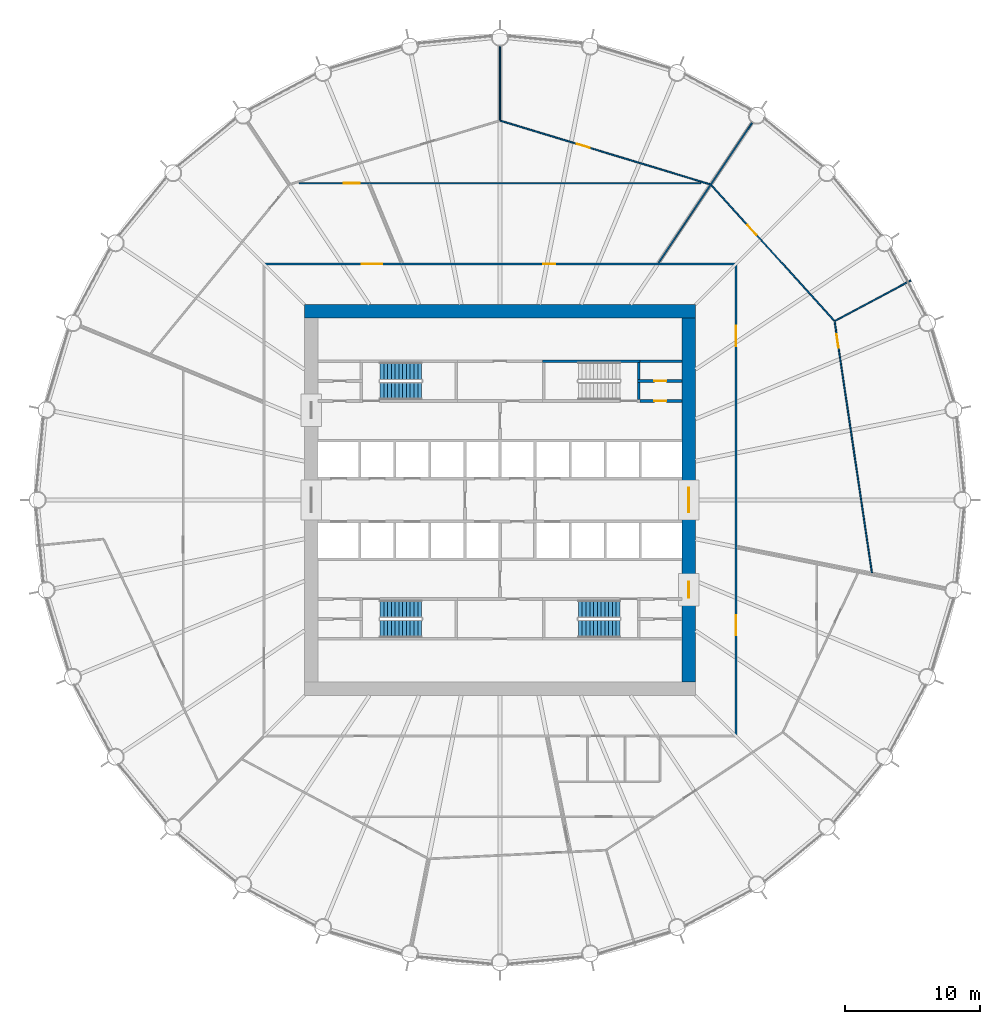
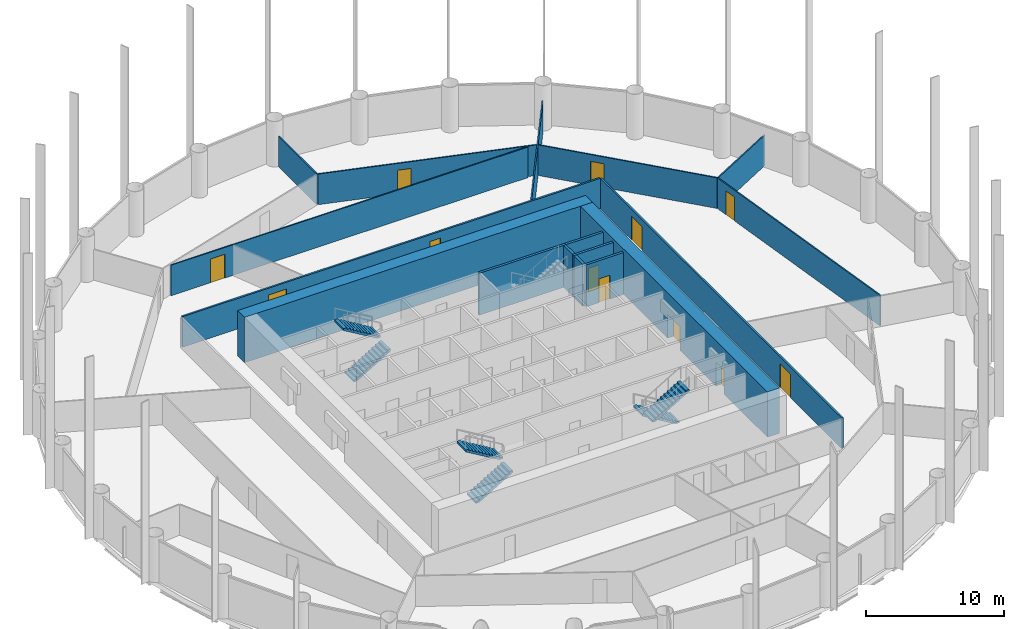
# One storey, part 7 of 10: 18 walls, 12 doors, 6 stair flights, 12 openings, 3 elements without a shape of their own.
"""IFC4 building model written with IfcOpenShell, lengths in metres."""

from ifc_helpers import new_model, si_unit, direction, frame, frame_2d, origin, place, context, subcontext, project, spatial, polyline, rectangle, outline, extrude, material, layer, layer_set, type_object, element, fill, aggregate, save


model = new_model("IFC4")

# Units and contexts
model_context = context("Model", 3, precision=1e-05, world=origin(), true_north=direction((0.0, 1.0)))
body_context = subcontext(model_context, "Body", "Model", "MODEL_VIEW")
ifc_project = project(units=[si_unit("LENGTHUNIT", "METRE"), si_unit("AREAUNIT", "SQUARE_METRE"), si_unit("VOLUMEUNIT", "CUBIC_METRE"), si_unit("PLANEANGLEUNIT", "RADIAN"), si_unit("MASSUNIT", "GRAM", prefix="KILO")], contexts=[model_context])

# Site, building, storey
site_placement = place(None, origin())
site = spatial("IfcSite", under=ifc_project, at=site_placement, CompositionType="ELEMENT")
building_placement = place(site_placement, origin())
building = spatial("IfcBuilding", under=site, at=building_placement, Name="Corvane Civic Tower", CompositionType="ELEMENT")
storey_placement = place(building_placement, frame((0.0, 0.0, 90.5)))
storey = spatial("IfcBuildingStorey", under=building, at=storey_placement, Name="L20", CompositionType="ELEMENT", Elevation=90.5)

# Wall
ifc_material_1 = material(Name="Concrete C70/85", Category="concrete")
ifc_layer_1 = layer(ifc_material_1, 1.0)
ifc_layer_set_1 = layer_set([ifc_layer_1], Name="Concrete C70/85")
wall_type_1 = type_object("IfcWallType", Name="CORE WALL 1000 C70/85", PredefinedType="SHEAR", material=ifc_layer_set_1)
wall_1_placement = place(storey_placement, frame((-14.5, 14.0, 0.0), z_axis=(0.0, 0.0, 1.0), x_axis=(1.0, 0.0, 0.0)))
element("IfcWall", 1, at=wall_1_placement, inside=storey, type_object=wall_type_1, Name="W-L20-core-N", PredefinedType="SHEAR", context=body_context, shape_type="SweptSolid", body=[
    extrude(rectangle(XDim=29.0, YDim=1.0, at=frame_2d((14.5, 0.0))), origin(), (0.0, 0.0, 1.0), 4.0),
])

# Wall, openings, doors
wall_2_placement = place(storey_placement, frame((14.0, -13.5, 0.0), z_axis=(0.0, 0.0, 1.0), x_axis=(0.0, 1.0, 0.0)))
wall_2 = element("IfcWall", 2, at=wall_2_placement, inside=storey, type_object=wall_type_1, Name="W-L20-core-E", PredefinedType="SHEAR", context=body_context, shape_type="SweptSolid", body=[
    extrude(rectangle(XDim=27.0, YDim=1.0, at=frame_2d((13.5, 0.0))), origin(), (0.0, 0.0, 1.0), 4.0),
])
opening_1_placement = place(wall_2_placement, frame((12.60009765625, 0.0, 0.0)))
opening_1 = element("IfcOpeningElement", 3, at=opening_1_placement, cuts=wall_2, Name="Opening L20.C23", PredefinedType="OPENING", context=body_context, shape_type="SweptSolid", body=[
    extrude(rectangle(XDim=1.800048828125, YDim=2.10009765625, at=frame_2d((0.89990234375, 1.050048828125))), frame((0.0, 0.510009765625, 0.0), z_axis=(0.0, -1.0, 0.0), x_axis=(1.0, 0.0, 0.0)), (0.0, 0.0, 1.0), 1.02001953125),
])
opening_2_placement = place(wall_2_placement, frame((6.25, 0.0, 0.0)))
opening_2 = element("IfcOpeningElement", 4, at=opening_2_placement, cuts=wall_2, Name="Opening L20.C25", PredefinedType="OPENING", context=body_context, shape_type="SweptSolid", body=[
    extrude(rectangle(XDim=1.199951171875, YDim=2.10009765625, at=frame_2d((0.60009765625, 1.050048828125))), frame((0.0, 0.510009765625, 0.0), z_axis=(0.0, -1.0, 0.0), x_axis=(1.0, 0.0, 0.0)), (0.0, 0.0, 1.0), 1.02001953125),
])
ifc_material_2 = material(Name="Steel fire door leaf", Category="steel")
door_type_1 = type_object("IfcDoorType", Name="CR-DOOR-CORE-1800", OperationType="DOUBLE_DOOR_SINGLE_SWING", PredefinedType="DOOR", material=ifc_material_2)
door_1_placement = place(opening_1_placement, origin())
door_1 = element("IfcDoor", 5, at=door_1_placement, inside=storey, type_object=door_type_1, Name="L20 door", OperationType="DOUBLE_DOOR_SINGLE_SWING", OverallHeight=2.10009765625, OverallWidth=1.800048828125, PredefinedType="DOOR", context=body_context, shape_type="SweptSolid", body=[
    extrude(rectangle(XDim=1.800048828125, YDim=2.10009765625, at=frame_2d((0.89990234375, 1.050048828125))), frame((0.0, 0.02490234375, 0.0), z_axis=(0.0, -1.0, 0.0), x_axis=(1.0, 0.0, 0.0)), (0.0, 0.0, 1.0), 0.050048828125),
])
fill(opening_1, door_1)
door_2_placement = place(opening_2_placement, origin())
door_2 = element("IfcDoor", 6, at=door_2_placement, inside=storey, type_object=door_type_1, Name="L20 door", OperationType="DOUBLE_DOOR_SINGLE_SWING", OverallHeight=2.10009765625, OverallWidth=1.199951171875, PredefinedType="DOOR", context=body_context, shape_type="SweptSolid", body=[
    extrude(rectangle(XDim=1.199951171875, YDim=2.10009765625, at=frame_2d((0.60009765625, 1.050048828125))), frame((0.0, 0.02490234375, 0.0), z_axis=(0.0, -1.0, 0.0), x_axis=(1.0, 0.0, 0.0)), (0.0, 0.0, 1.0), 0.050048828125),
])
fill(opening_2, door_2)

# Wall, opening, door
ifc_material_3 = material(Name="Concrete C30/37", Category="concrete")
ifc_layer_2 = layer(ifc_material_3, 0.199951171875)
ifc_layer_set_2 = layer_set([ifc_layer_2], Name="Concrete C30/37")
wall_type_2 = type_object("IfcWallType", Name="CR-WALL-200", PredefinedType="PARTITIONING", material=ifc_layer_set_2)
wall_3_placement = place(storey_placement, frame((10.39990234375, 7.35009765625, 0.0), z_axis=(0.0, 0.0, 1.0), x_axis=(1.0, 0.0, 0.0)))
wall_3 = element("IfcWall", 7, at=wall_3_placement, inside=storey, type_object=wall_type_2, Name="L20 core partition wall", PredefinedType="PARTITIONING", context=body_context, shape_type="SweptSolid", body=[
    extrude(rectangle(XDim=3.10009765625, YDim=0.199951171875, at=frame_2d((1.550048828125, 0.0))), origin(), (0.0, 0.0, 1.0), 3.699951171875),
])
opening_3_placement = place(wall_3_placement, frame((1.050048828125, 0.0, 0.0)))
opening_3 = element("IfcOpeningElement", 8, at=opening_3_placement, cuts=wall_3, Name="Opening L20.C10", PredefinedType="OPENING", context=body_context, shape_type="SweptSolid", body=[
    extrude(rectangle(XDim=0.89990234375, YDim=2.10009765625, at=frame_2d((0.449951171875, 1.050048828125))), frame((0.0, 0.10986328125, 0.0), z_axis=(0.0, -1.0, 0.0), x_axis=(1.0, 0.0, 0.0)), (0.0, 0.0, 1.0), 0.219970703125),
])
ifc_material_4 = material(Name="Steel fire door leaf", Category="steel")
door_type_2 = type_object("IfcDoorType", Name="CR-DOOR-900", OperationType="SINGLE_SWING_LEFT", PredefinedType="DOOR", material=ifc_material_4)
door_3_placement = place(opening_3_placement, origin())
door_3 = element("IfcDoor", 9, at=door_3_placement, inside=storey, type_object=door_type_2, Name="L20 door", OperationType="SINGLE_SWING_LEFT", OverallHeight=2.10009765625, OverallWidth=0.89990234375, PredefinedType="DOOR", context=body_context, shape_type="SweptSolid", body=[
    extrude(rectangle(XDim=0.89990234375, YDim=2.10009765625, at=frame_2d((0.449951171875, 1.050048828125))), frame((0.0, 0.02490234375, 0.0), z_axis=(0.0, -1.0, 0.0), x_axis=(1.0, 0.0, 0.0)), (0.0, 0.0, 1.0), 0.050048828125),
])
fill(opening_3, door_3)

wall_4_placement = place(storey_placement, frame((10.199951171875, 8.824951171875, 0.0), z_axis=(0.0, 0.0, 1.0), x_axis=(1.0, 0.0, 0.0)))
wall_4 = element("IfcWall", 10, at=wall_4_placement, inside=storey, type_object=wall_type_2, Name="L20 partition wall", PredefinedType="PARTITIONING", context=body_context, shape_type="SweptSolid", body=[
    extrude(rectangle(XDim=3.300048828125, YDim=0.199951171875, at=frame_2d((1.64990234375, 0.0))), origin(), (0.0, 0.0, 1.0), 3.699951171875),
])
opening_4_placement = place(wall_4_placement, frame((1.25, 0.0, 0.0)))
opening_4 = element("IfcOpeningElement", 11, at=opening_4_placement, cuts=wall_4, Name="Opening L20.C11", PredefinedType="OPENING", context=body_context, shape_type="SweptSolid", body=[
    extrude(rectangle(XDim=0.89990234375, YDim=2.10009765625, at=frame_2d((0.449951171875, 1.050048828125))), frame((0.0, 0.10986328125, 0.0), z_axis=(0.0, -1.0, 0.0), x_axis=(1.0, 0.0, 0.0)), (0.0, 0.0, 1.0), 0.219970703125),
])
door_4_placement = place(opening_4_placement, origin())
door_4 = element("IfcDoor", 12, at=door_4_placement, inside=storey, type_object=door_type_2, Name="L20 door", OperationType="SINGLE_SWING_LEFT", OverallHeight=2.10009765625, OverallWidth=0.89990234375, PredefinedType="DOOR", context=body_context, shape_type="SweptSolid", body=[
    extrude(rectangle(XDim=0.89990234375, YDim=2.10009765625, at=frame_2d((0.449951171875, 1.050048828125))), frame((0.0, 0.02490234375, 0.0), z_axis=(0.0, -1.0, 0.0), x_axis=(1.0, 0.0, 0.0)), (0.0, 0.0, 1.0), 0.050048828125),
])
fill(opening_4, door_4)

# Wall
wall_5_placement = place(storey_placement, origin())
element("IfcWall", 13, at=wall_5_placement, inside=storey, type_object=wall_type_2, Name="L20 core partition wall", PredefinedType="PARTITIONING", context=body_context, shape_type="SweptSolid", body=[
    extrude(outline(polyline([(10.39990234375, 10.199951171875), (10.39990234375, 10.39990234375), (13.5, 10.39990234375), (13.5, 10.199951171875), (10.39990234375, 10.199951171875)])), origin(), (0.0, 0.0, 1.0), 3.699951171875),
])

# Wall, opening, door
ifc_material_5 = material(Name="Plasterboard")
ifc_layer_3 = layer(ifc_material_5, 0.10009765625)
ifc_layer_set_3 = layer_set([ifc_layer_3], Name="Plasterboard")
wall_type_3 = type_object("IfcWallType", Name="Partition 100 plasterboard on studs", PredefinedType="PARTITIONING", material=ifc_layer_set_3)
wall_6_placement = place(storey_placement, frame((24.82470703125, 13.2314453125, 0.0), z_axis=(0.0, 0.0, 1.0), x_axis=(0.146725097185, -0.989177307593, 0.0)))
wall_6 = element("IfcWall", 14, at=wall_6_placement, inside=storey, type_object=wall_type_3, Name="Partition L20.023", PredefinedType="PARTITIONING", context=body_context, shape_type="SweptSolid", body=[
    extrude(rectangle(XDim=18.855712890625, YDim=0.10009765625, at=frame_2d((9.427734375, 0.0))), origin(), (0.0, 0.0, 1.0), 2.699951171875),
])
opening_5_placement = place(wall_6_placement, frame((0.959228515625, 0.0, 0.0)))
opening_5 = element("IfcOpeningElement", 15, at=opening_5_placement, cuts=wall_6, Name="Opening L20.011", PredefinedType="OPENING", context=body_context, shape_type="SweptSolid", body=[
    extrude(rectangle(XDim=1.0, YDim=2.10009765625, at=frame_2d((0.5, 1.050048828125))), frame((0.0, 0.06005859375, 0.0), z_axis=(0.0, -1.0, 0.0), x_axis=(1.0, 0.0, 0.0)), (0.0, 0.0, 1.0), 0.1201171875),
])
ifc_material_6 = material(Name="Timber", Category="wood")
door_type_3 = type_object("IfcDoorType", Name="Single door 1000", OperationType="NOTDEFINED", PredefinedType="DOOR", material=ifc_material_6)
door_5_placement = place(opening_5_placement, origin())
door_5 = element("IfcDoor", 16, at=door_5_placement, inside=storey, type_object=door_type_3, Name="Door L20.011", OperationType="SINGLE_SWING_LEFT", OverallHeight=2.10009765625, OverallWidth=1.0, PredefinedType="DOOR", context=body_context, shape_type="SweptSolid", body=[
    extrude(rectangle(XDim=1.0, YDim=2.10009765625, at=frame_2d((0.5, 1.050048828125))), frame((0.0, 0.02490234375, 0.0), z_axis=(0.0, -1.0, 0.0), x_axis=(1.0, 0.0, 0.0)), (0.0, 0.0, 1.0), 0.050048828125),
])
fill(opening_5, door_5)

# Wall
wall_7_placement = place(storey_placement, frame((24.853759765625, 13.28466796875, 0.0), z_axis=(0.0, 0.0, 1.0), x_axis=(0.881920677768, 0.471397834239, 0.0)))
element("IfcWall", 17, at=wall_7_placement, inside=storey, type_object=wall_type_3, Name="Partition L20.027", PredefinedType="PARTITIONING", context=body_context, shape_type="SweptSolid", body=[
    extrude(rectangle(XDim=6.36865234375, YDim=0.10009765625, at=frame_2d((3.184326171875, 0.0))), origin(), (0.0, 0.0, 1.0), 2.699951171875),
])

# Wall, opening, door
wall_8_placement = place(storey_placement, frame((15.67822265625, 23.352294921875, 0.0), z_axis=(0.0, 0.0, 1.0), x_axis=(0.671548435056, -0.740960659802, 0.0)))
wall_8 = element("IfcWall", 18, at=wall_8_placement, inside=storey, type_object=wall_type_3, Name="Partition L20.028", PredefinedType="PARTITIONING", context=body_context, shape_type="SweptSolid", body=[
    extrude(rectangle(XDim=13.572998046875, YDim=0.10009765625, at=frame_2d((6.78662109375, 0.0))), origin(), (0.0, 0.0, 1.0), 2.699951171875),
])
opening_6_placement = place(wall_8_placement, frame((3.99169921875, 0.0, 0.0)))
opening_6 = element("IfcOpeningElement", 19, at=opening_6_placement, cuts=wall_8, Name="Opening L20.010", PredefinedType="OPENING", context=body_context, shape_type="SweptSolid", body=[
    extrude(rectangle(XDim=1.0, YDim=2.10009765625, at=frame_2d((0.5, 1.050048828125))), frame((0.0, 0.06005859375, 0.0), z_axis=(0.0, -1.0, 0.0), x_axis=(1.0, 0.0, 0.0)), (0.0, 0.0, 1.0), 0.1201171875),
])
door_6_placement = place(opening_6_placement, origin())
door_6 = element("IfcDoor", 20, at=door_6_placement, inside=storey, type_object=door_type_3, Name="Door L20.010", OperationType="SINGLE_SWING_LEFT", OverallHeight=2.10009765625, OverallWidth=1.0, PredefinedType="DOOR", context=body_context, shape_type="SweptSolid", body=[
    extrude(rectangle(XDim=1.0, YDim=2.10009765625, at=frame_2d((0.5, 1.050048828125))), frame((0.0, 0.02490234375, 0.0), z_axis=(0.0, -1.0, 0.0), x_axis=(1.0, 0.0, 0.0)), (0.0, 0.0, 1.0), 0.050048828125),
])
fill(opening_6, door_6)

# Walls
wall_9_placement = place(storey_placement, frame((11.77734375, 17.626220703125, 0.0), z_axis=(0.0, 0.0, 1.0), x_axis=(0.555581169322, 0.831462304795, 0.0)))
element("IfcWall", 21, at=wall_9_placement, inside=storey, type_object=wall_type_3, Name="Partition L20.031", PredefinedType="PARTITIONING", context=body_context, shape_type="SweptSolid", body=[
    extrude(rectangle(XDim=12.46630859375, YDim=0.10009765625, at=frame_2d((6.233154296875, 0.0))), origin(), (0.0, 0.0, 1.0), 2.699951171875),
])
wall_10_placement = place(storey_placement, frame((14.921142578125, 23.6162109375, 0.0), z_axis=(0.0, 0.0, 1.0), x_axis=(0.956930559609, -0.290316902859, 0.0)))
element("IfcWall", 22, at=wall_10_placement, inside=storey, type_object=wall_type_3, Name="Partition L20.033", PredefinedType="PARTITIONING", context=body_context, shape_type="SweptSolid", body=[
    extrude(rectangle(XDim=0.6787109375, YDim=0.10009765625, at=frame_2d((0.33935546875, 0.0))), origin(), (0.0, 0.0, 1.0), 2.699951171875),
])

# Wall, opening, door
wall_11_placement = place(storey_placement, frame((-14.893798828125, 23.5, 0.0), z_axis=(0.0, 0.0, 1.0), x_axis=(1.0, 0.0, 0.0)))
wall_11 = element("IfcWall", 23, at=wall_11_placement, inside=storey, type_object=wall_type_3, Name="Partition L20.035", PredefinedType="PARTITIONING", context=body_context, shape_type="SweptSolid", body=[
    extrude(rectangle(XDim=29.78759765625, YDim=0.10009765625, at=frame_2d((14.893798828125, 0.0))), origin(), (0.0, 0.0, 1.0), 2.699951171875),
])
opening_7_placement = place(wall_11_placement, frame((3.289306640625, 0.0, 0.0)))
opening_7 = element("IfcOpeningElement", 24, at=opening_7_placement, cuts=wall_11, Name="Opening L20.007", PredefinedType="OPENING", context=body_context, shape_type="SweptSolid", body=[
    extrude(rectangle(XDim=1.199951171875, YDim=2.10009765625, at=frame_2d((0.60009765625, 1.050048828125))), frame((0.0, 0.06005859375, 0.0), z_axis=(0.0, -1.0, 0.0), x_axis=(1.0, 0.0, 0.0)), (0.0, 0.0, 1.0), 0.1201171875),
])
ifc_material_7 = material(Name="Timber", Category="wood")
door_type_4 = type_object("IfcDoorType", Name="Double door 1200", OperationType="NOTDEFINED", PredefinedType="DOOR", material=ifc_material_7)
door_7_placement = place(opening_7_placement, origin())
door_7 = element("IfcDoor", 25, at=door_7_placement, inside=storey, type_object=door_type_4, Name="Door L20.007", OperationType="DOUBLE_DOOR_SINGLE_SWING", OverallHeight=2.10009765625, OverallWidth=1.199951171875, PredefinedType="DOOR", context=body_context, shape_type="SweptSolid", body=[
    extrude(rectangle(XDim=1.199951171875, YDim=2.10009765625, at=frame_2d((0.60009765625, 1.050048828125))), frame((0.0, 0.02490234375, 0.0), z_axis=(0.0, -1.0, 0.0), x_axis=(1.0, 0.0, 0.0)), (0.0, 0.0, 1.0), 0.050048828125),
])
fill(opening_7, door_7)

wall_12_placement = place(storey_placement, frame((0.035400390625, 28.1318359375, 0.0), z_axis=(0.0, 0.0, 1.0), x_axis=(0.956938827211, -0.290289650136, 0.0)))
wall_12 = element("IfcWall", 26, at=wall_12_placement, inside=storey, type_object=wall_type_3, Name="Partition L20.037", PredefinedType="PARTITIONING", context=body_context, shape_type="SweptSolid", body=[
    extrude(rectangle(XDim=15.5556640625, YDim=0.10009765625, at=frame_2d((7.77783203125, 0.0))), origin(), (0.0, 0.0, 1.0), 2.699951171875),
])
opening_8_placement = place(wall_12_placement, frame((5.919189453125, 0.0, 0.0)))
opening_8 = element("IfcOpeningElement", 27, at=opening_8_placement, cuts=wall_12, Name="Opening L20.006", PredefinedType="OPENING", context=body_context, shape_type="SweptSolid", body=[
    extrude(rectangle(XDim=1.0, YDim=2.10009765625, at=frame_2d((0.5, 1.050048828125))), frame((0.0, 0.06005859375, 0.0), z_axis=(0.0, -1.0, 0.0), x_axis=(1.0, 0.0, 0.0)), (0.0, 0.0, 1.0), 0.1201171875),
])
door_8_placement = place(opening_8_placement, origin())
door_8 = element("IfcDoor", 28, at=door_8_placement, inside=storey, type_object=door_type_3, Name="Door L20.006", OperationType="SINGLE_SWING_RIGHT", OverallHeight=2.10009765625, OverallWidth=1.0, PredefinedType="DOOR", context=body_context, shape_type="SweptSolid", body=[
    extrude(rectangle(XDim=1.0, YDim=2.10009765625, at=frame_2d((0.5, 1.050048828125))), frame((0.0, 0.02490234375, 0.0), z_axis=(0.0, -1.0, 0.0), x_axis=(1.0, 0.0, 0.0)), (0.0, 0.0, 1.0), 0.050048828125),
])
fill(opening_8, door_8)

# Walls
wall_13_placement = place(storey_placement, frame((0.0, 28.1796875, 0.0), z_axis=(0.0, 0.0, 1.0), x_axis=(0.0, 1.0, 0.0)))
element("IfcWall", 29, at=wall_13_placement, inside=storey, type_object=wall_type_3, Name="Partition L20.038", PredefinedType="PARTITIONING", context=body_context, shape_type="SweptSolid", body=[
    extrude(rectangle(XDim=5.4853515625, YDim=0.10009765625, at=frame_2d((2.74267578125, 0.0))), origin(), (0.0, 0.0, 1.0), 2.699951171875),
])
ifc_material_8 = material(Name="Concrete C50/60", Category="concrete")
ifc_layer_4 = layer(ifc_material_8, 0.199951171875)
ifc_layer_set_4 = layer_set([ifc_layer_4], Name="Concrete C50/60")
wall_type_4 = type_object("IfcWallType", Name="ST-WALL-200", PredefinedType="SHEAR", material=ifc_layer_set_4)
wall_14_placement = place(storey_placement, origin())
element("IfcWall", 30, at=wall_14_placement, inside=storey, type_object=wall_type_4, Name="L20 stair enclosure wall", PredefinedType="SHEAR", context=body_context, shape_type="SweptSolid", body=[
    extrude(outline(polyline([(10.39990234375, 10.199951171875), (3.14990234375, 10.199951171875), (3.14990234375, 10.39990234375), (10.39990234375, 10.39990234375), (10.39990234375, 10.199951171875)])), origin(), (0.0, 0.0, 1.0), 3.699951171875),
])
wall_15_placement = place(storey_placement, origin())
element("IfcWall", 31, at=wall_15_placement, inside=storey, type_object=wall_type_4, Name="L20 stair enclosure wall", PredefinedType="SHEAR", context=body_context, shape_type="SweptSolid", body=[
    extrude(outline(polyline([(10.39990234375, 8.72509765625), (10.39990234375, 7.449951171875), (10.199951171875, 7.449951171875), (10.199951171875, 8.72509765625), (10.39990234375, 8.72509765625)])), origin(), (0.0, 0.0, 1.0), 3.699951171875),
])
wall_16_placement = place(storey_placement, origin())
element("IfcWall", 32, at=wall_16_placement, inside=storey, type_object=wall_type_4, Name="L20 stair enclosure wall", PredefinedType="SHEAR", context=body_context, shape_type="SweptSolid", body=[
    extrude(outline(polyline([(10.39990234375, 8.925048828125), (10.199951171875, 8.925048828125), (10.199951171875, 10.199951171875), (10.39990234375, 10.199951171875), (10.39990234375, 8.925048828125)])), origin(), (0.0, 0.0, 1.0), 3.699951171875),
])

# Wall, openings, doors
ifc_material_9 = material(Name="Plasterboard")
ifc_layer_5 = layer(ifc_material_9, 0.14990234375)
ifc_layer_set_5 = layer_set([ifc_layer_5], Name="Plasterboard")
wall_type_5 = type_object("IfcWallType", Name="Tenancy wall 150 EI 60", PredefinedType="PARTITIONING", material=ifc_layer_set_5)
wall_17_placement = place(storey_placement, frame((17.5, -17.425048828125, 0.0), z_axis=(0.0, 0.0, 1.0), x_axis=(0.0, 1.0, 0.0)))
wall_17 = element("IfcWall", 33, at=wall_17_placement, inside=storey, type_object=wall_type_5, Name="Partition L20.018", PredefinedType="PARTITIONING", context=body_context, shape_type="SweptSolid", body=[
    extrude(rectangle(XDim=34.85009765625, YDim=0.14990234375, at=frame_2d((17.425048828125, 0.0))), origin(), (0.0, 0.0, 1.0), 2.699951171875),
])
opening_9_placement = place(wall_17_placement, frame((28.841796875, 0.0, 0.0)))
opening_9 = element("IfcOpeningElement", 34, at=opening_9_placement, cuts=wall_17, Name="Opening L20.012", PredefinedType="OPENING", context=body_context, shape_type="SweptSolid", body=[
    extrude(rectangle(XDim=1.5, YDim=2.10009765625, at=frame_2d((0.75, 1.050048828125))), frame((0.0, 0.0849609375, 0.0), z_axis=(0.0, -1.0, 0.0), x_axis=(1.0, 0.0, 0.0)), (0.0, 0.0, 1.0), 0.169921875),
])
opening_10_placement = place(wall_17_placement, frame((7.394287109375, 0.0, 0.0)))
opening_10 = element("IfcOpeningElement", 35, at=opening_10_placement, cuts=wall_17, Name="Opening L20.020", PredefinedType="OPENING", context=body_context, shape_type="SweptSolid", body=[
    extrude(rectangle(XDim=1.5, YDim=2.10009765625, at=frame_2d((0.75, 1.050048828125))), frame((0.0, 0.0849609375, 0.0), z_axis=(0.0, -1.0, 0.0), x_axis=(1.0, 0.0, 0.0)), (0.0, 0.0, 1.0), 0.169921875),
])
ifc_material_10 = material(Name="Steel and timber", Category="steel")
door_type_5 = type_object("IfcDoorType", Name="Fire door FD60 double 1500", OperationType="NOTDEFINED", PredefinedType="DOOR", material=ifc_material_10)
door_9_placement = place(opening_9_placement, frame((1.5, 0.0, 0.0), z_axis=(0.0, 0.0, 1.0), x_axis=(-1.0, 0.0, 0.0)))
door_9 = element("IfcDoor", 36, at=door_9_placement, inside=storey, type_object=door_type_5, Name="Door L20.012", OperationType="DOUBLE_DOOR_SINGLE_SWING", OverallHeight=2.10009765625, OverallWidth=1.5, PredefinedType="DOOR", context=body_context, shape_type="SweptSolid", body=[
    extrude(rectangle(XDim=1.5, YDim=2.10009765625, at=frame_2d((0.75, 1.050048828125))), frame((0.0, 0.02490234375, 0.0), z_axis=(0.0, -1.0, 0.0), x_axis=(1.0, 0.0, 0.0)), (0.0, 0.0, 1.0), 0.050048828125),
])
fill(opening_9, door_9)
door_10_placement = place(opening_10_placement, frame((1.5, 0.0, 0.0), z_axis=(0.0, 0.0, 1.0), x_axis=(-1.0, 0.0, 0.0)))
door_10 = element("IfcDoor", 37, at=door_10_placement, inside=storey, type_object=door_type_5, Name="Door L20.020", OperationType="DOUBLE_DOOR_SINGLE_SWING", OverallHeight=2.10009765625, OverallWidth=1.5, PredefinedType="DOOR", context=body_context, shape_type="SweptSolid", body=[
    extrude(rectangle(XDim=1.5, YDim=2.10009765625, at=frame_2d((0.75, 1.050048828125))), frame((0.0, 0.02490234375, 0.0), z_axis=(0.0, -1.0, 0.0), x_axis=(1.0, 0.0, 0.0)), (0.0, 0.0, 1.0), 0.050048828125),
])
fill(opening_10, door_10)

wall_18_placement = place(storey_placement, frame((-17.425048828125, 17.5, 0.0), z_axis=(0.0, 0.0, 1.0), x_axis=(1.0, 0.0, 0.0)))
wall_18 = element("IfcWall", 38, at=wall_18_placement, inside=storey, type_object=wall_type_5, Name="Partition L20.029", PredefinedType="PARTITIONING", context=body_context, shape_type="SweptSolid", body=[
    extrude(rectangle(XDim=34.85009765625, YDim=0.14990234375, at=frame_2d((17.425048828125, 0.0))), origin(), (0.0, 0.0, 1.0), 2.699951171875),
])
opening_11_placement = place(wall_18_placement, frame((7.1865234375, 0.0, 0.0)))
opening_11 = element("IfcOpeningElement", 39, at=opening_11_placement, cuts=wall_18, Name="Opening L20.008", PredefinedType="OPENING", context=body_context, shape_type="SweptSolid", body=[
    extrude(rectangle(XDim=1.5, YDim=2.10009765625, at=frame_2d((0.75, 1.050048828125))), frame((0.0, 0.0849609375, 0.0), z_axis=(0.0, -1.0, 0.0), x_axis=(1.0, 0.0, 0.0)), (0.0, 0.0, 1.0), 0.169921875),
])
opening_12_placement = place(wall_18_placement, frame((20.6298828125, 0.0, 0.0)))
opening_12 = element("IfcOpeningElement", 40, at=opening_12_placement, cuts=wall_18, Name="Opening L20.009", PredefinedType="OPENING", context=body_context, shape_type="SweptSolid", body=[
    extrude(rectangle(XDim=0.89990234375, YDim=2.10009765625, at=frame_2d((0.449951171875, 1.050048828125))), frame((0.0, 0.0849609375, 0.0), z_axis=(0.0, -1.0, 0.0), x_axis=(1.0, 0.0, 0.0)), (0.0, 0.0, 1.0), 0.169921875),
])
ifc_material_11 = material(Name="Steel and timber", Category="steel")
door_type_6 = type_object("IfcDoorType", Name="Fire door FD30S 900", OperationType="NOTDEFINED", PredefinedType="DOOR", material=ifc_material_11)
door_11_placement = place(opening_12_placement, origin())
door_11 = element("IfcDoor", 41, at=door_11_placement, inside=storey, type_object=door_type_6, Name="Door L20.009", OperationType="SINGLE_SWING_RIGHT", OverallHeight=2.10009765625, OverallWidth=0.89990234375, PredefinedType="DOOR", context=body_context, shape_type="SweptSolid", body=[
    extrude(rectangle(XDim=0.89990234375, YDim=2.10009765625, at=frame_2d((0.449951171875, 1.050048828125))), frame((0.0, 0.02490234375, 0.0), z_axis=(0.0, -1.0, 0.0), x_axis=(1.0, 0.0, 0.0)), (0.0, 0.0, 1.0), 0.050048828125),
])
fill(opening_12, door_11)
door_12_placement = place(opening_11_placement, origin())
door_12 = element("IfcDoor", 42, at=door_12_placement, inside=storey, type_object=door_type_5, Name="Door L20.008", OperationType="DOUBLE_DOOR_SINGLE_SWING", OverallHeight=2.10009765625, OverallWidth=1.5, PredefinedType="DOOR", context=body_context, shape_type="SweptSolid", body=[
    extrude(rectangle(XDim=1.5, YDim=2.10009765625, at=frame_2d((0.75, 1.050048828125))), frame((0.0, 0.02490234375, 0.0), z_axis=(0.0, -1.0, 0.0), x_axis=(1.0, 0.0, 0.0)), (0.0, 0.0, 1.0), 0.050048828125),
])
fill(opening_11, door_12)

# Stair, stair flights
ifc_material_12 = material(Name="Concrete C40/50", Category="concrete")
stair_type = type_object("IfcStairType", Name="ST-STAIR-HALFTURN", PredefinedType="HALF_TURN_STAIR", material=ifc_material_12)
stair_1_placement = place(storey_placement, origin())
stair_1 = element("IfcStair", 43, at=stair_1_placement, inside=storey, type_object=stair_type, Name="L20 Exit stair ST2", PredefinedType="HALF_TURN_STAIR")
ifc_material_13 = material(Name="Concrete C40/50", Category="concrete")
stair_flight_type = type_object("IfcStairFlightType", Name="ST-FLIGHT-RC", PredefinedType="STRAIGHT", material=ifc_material_13)
stair_flight_1_placement = place(storey_placement, frame((8.89990234375, -8.10009765625, 0.0), z_axis=(0.0, 0.0, 1.0), x_axis=(-1.0, 0.0, 0.0)))
stair_flight_1 = element("IfcStairFlight", 44, at=stair_flight_1_placement, type_object=stair_flight_type, Name="ST2 flight 1", NumberOfRisers=12, NumberOfTreads=11, PredefinedType="STRAIGHT", RiserHeight=0.166666667, TreadLength=0.28, context=body_context, shape_type="SweptSolid", body=[
    extrude(outline(polyline([(0.0, 0.0), (0.0, 0.166748046875), (0.280029296875, 0.166748046875), (0.280029296875, 0.333251953125), (0.56005859375, 0.333251953125), (0.56005859375, 0.5), (0.840087890625, 0.5), (0.840087890625, 0.666748046875), (1.1201171875, 0.666748046875), (1.1201171875, 0.833251953125), (1.39990234375, 0.833251953125), (1.39990234375, 1.0), (1.679931640625, 1.0), (1.679931640625, 1.166748046875), (1.9599609375, 1.166748046875), (1.9599609375, 1.333251953125), (2.239990234375, 1.333251953125), (2.239990234375, 1.5), (2.52001953125, 1.5), (2.52001953125, 1.666748046875), (2.800048828125, 1.666748046875), (2.800048828125, 1.833251953125), (3.080078125, 1.833251953125), (3.080078125, 2.0), (3.080078125, 1.658935546875), (0.29296875, 0.0), (0.0, 0.0)])), frame((0.0, 0.64990234375, 0.0), z_axis=(0.0, -1.0, 0.0), x_axis=(1.0, 0.0, 0.0)), (0.0, 0.0, 1.0), 1.300048828125),
])
stair_flight_2_placement = place(storey_placement, frame((5.820068359375, -9.550048828125, 2.0), z_axis=(0.0, 0.0, 1.0), x_axis=(1.0, 0.0, 0.0)))
stair_flight_2 = element("IfcStairFlight", 45, at=stair_flight_2_placement, type_object=stair_flight_type, Name="ST2 flight 2", NumberOfRisers=12, NumberOfTreads=11, PredefinedType="STRAIGHT", RiserHeight=0.166666667, TreadLength=0.28, context=body_context, shape_type="SweptSolid", body=[
    extrude(outline(polyline([(0.0, 0.0), (0.0, 0.166748046875), (0.280029296875, 0.166748046875), (0.280029296875, 0.333251953125), (0.56005859375, 0.333251953125), (0.56005859375, 0.5), (0.840087890625, 0.5), (0.840087890625, 0.666748046875), (1.1201171875, 0.666748046875), (1.1201171875, 0.833251953125), (1.39990234375, 0.833251953125), (1.39990234375, 1.0), (1.679931640625, 1.0), (1.679931640625, 1.166748046875), (1.9599609375, 1.166748046875), (1.9599609375, 1.333251953125), (2.239990234375, 1.333251953125), (2.239990234375, 1.5), (2.52001953125, 1.5), (2.52001953125, 1.666748046875), (2.800048828125, 1.666748046875), (2.800048828125, 1.833251953125), (3.080078125, 1.833251953125), (3.080078125, 2.0), (3.080078125, 1.658935546875), (0.29296875, 0.0), (0.0, 0.0)])), frame((0.0, 0.64990234375, 0.0), z_axis=(0.0, -1.0, 0.0), x_axis=(1.0, 0.0, 0.0)), (0.0, 0.0, 1.0), 1.300048828125),
])
aggregate(stair_1, [stair_flight_1, stair_flight_2])

stair_2_placement = place(storey_placement, origin())
stair_2 = element("IfcStair", 46, at=stair_2_placement, inside=storey, type_object=stair_type, Name="L20 Exit stair ST3", PredefinedType="HALF_TURN_STAIR")
stair_flight_3_placement = place(storey_placement, frame((-8.89990234375, -9.550048828125, 0.0), z_axis=(0.0, 0.0, 1.0), x_axis=(1.0, 0.0, 0.0)))
stair_flight_3 = element("IfcStairFlight", 47, at=stair_flight_3_placement, type_object=stair_flight_type, Name="ST3 flight 1", NumberOfRisers=12, NumberOfTreads=11, PredefinedType="STRAIGHT", RiserHeight=0.166666667, TreadLength=0.28, context=body_context, shape_type="SweptSolid", body=[
    extrude(outline(polyline([(0.0, 0.0), (0.0, 0.166748046875), (0.280029296875, 0.166748046875), (0.280029296875, 0.333251953125), (0.56005859375, 0.333251953125), (0.56005859375, 0.5), (0.840087890625, 0.5), (0.840087890625, 0.666748046875), (1.1201171875, 0.666748046875), (1.1201171875, 0.833251953125), (1.39990234375, 0.833251953125), (1.39990234375, 1.0), (1.679931640625, 1.0), (1.679931640625, 1.166748046875), (1.9599609375, 1.166748046875), (1.9599609375, 1.333251953125), (2.239990234375, 1.333251953125), (2.239990234375, 1.5), (2.52001953125, 1.5), (2.52001953125, 1.666748046875), (2.800048828125, 1.666748046875), (2.800048828125, 1.833251953125), (3.080078125, 1.833251953125), (3.080078125, 2.0), (3.080078125, 1.658935546875), (0.29296875, 0.0), (0.0, 0.0)])), frame((0.0, 0.64990234375, 0.0), z_axis=(0.0, -1.0, 0.0), x_axis=(1.0, 0.0, 0.0)), (0.0, 0.0, 1.0), 1.300048828125),
])
stair_flight_4_placement = place(storey_placement, frame((-5.820068359375, -8.10009765625, 2.0), z_axis=(0.0, 0.0, 1.0), x_axis=(-1.0, 0.0, 0.0)))
stair_flight_4 = element("IfcStairFlight", 48, at=stair_flight_4_placement, type_object=stair_flight_type, Name="ST3 flight 2", NumberOfRisers=12, NumberOfTreads=11, PredefinedType="STRAIGHT", RiserHeight=0.166666667, TreadLength=0.28, context=body_context, shape_type="SweptSolid", body=[
    extrude(outline(polyline([(0.0, 0.0), (0.0, 0.166748046875), (0.280029296875, 0.166748046875), (0.280029296875, 0.333251953125), (0.56005859375, 0.333251953125), (0.56005859375, 0.5), (0.840087890625, 0.5), (0.840087890625, 0.666748046875), (1.1201171875, 0.666748046875), (1.1201171875, 0.833251953125), (1.39990234375, 0.833251953125), (1.39990234375, 1.0), (1.679931640625, 1.0), (1.679931640625, 1.166748046875), (1.9599609375, 1.166748046875), (1.9599609375, 1.333251953125), (2.239990234375, 1.333251953125), (2.239990234375, 1.5), (2.52001953125, 1.5), (2.52001953125, 1.666748046875), (2.800048828125, 1.666748046875), (2.800048828125, 1.833251953125), (3.080078125, 1.833251953125), (3.080078125, 2.0), (3.080078125, 1.658935546875), (0.29296875, 0.0), (0.0, 0.0)])), frame((0.0, 0.64990234375, 0.0), z_axis=(0.0, -1.0, 0.0), x_axis=(1.0, 0.0, 0.0)), (0.0, 0.0, 1.0), 1.300048828125),
])
aggregate(stair_2, [stair_flight_3, stair_flight_4])

stair_3_placement = place(storey_placement, origin())
stair_3 = element("IfcStair", 49, at=stair_3_placement, inside=storey, type_object=stair_type, Name="L20 Exit stair ST4", PredefinedType="HALF_TURN_STAIR")
stair_flight_5_placement = place(storey_placement, frame((-8.89990234375, 8.10009765625, 0.0), z_axis=(0.0, 0.0, 1.0), x_axis=(1.0, 0.0, 0.0)))
stair_flight_5 = element("IfcStairFlight", 50, at=stair_flight_5_placement, type_object=stair_flight_type, Name="ST4 flight 1", NumberOfRisers=12, NumberOfTreads=11, PredefinedType="STRAIGHT", RiserHeight=0.166666667, TreadLength=0.28, context=body_context, shape_type="SweptSolid", body=[
    extrude(outline(polyline([(0.0, 0.0), (0.0, 0.166748046875), (0.280029296875, 0.166748046875), (0.280029296875, 0.333251953125), (0.56005859375, 0.333251953125), (0.56005859375, 0.5), (0.840087890625, 0.5), (0.840087890625, 0.666748046875), (1.1201171875, 0.666748046875), (1.1201171875, 0.833251953125), (1.39990234375, 0.833251953125), (1.39990234375, 1.0), (1.679931640625, 1.0), (1.679931640625, 1.166748046875), (1.9599609375, 1.166748046875), (1.9599609375, 1.333251953125), (2.239990234375, 1.333251953125), (2.239990234375, 1.5), (2.52001953125, 1.5), (2.52001953125, 1.666748046875), (2.800048828125, 1.666748046875), (2.800048828125, 1.833251953125), (3.080078125, 1.833251953125), (3.080078125, 2.0), (3.080078125, 1.658935546875), (0.29296875, 0.0), (0.0, 0.0)])), frame((0.0, 0.64990234375, 0.0), z_axis=(0.0, -1.0, 0.0), x_axis=(1.0, 0.0, 0.0)), (0.0, 0.0, 1.0), 1.300048828125),
])
stair_flight_6_placement = place(storey_placement, frame((-5.820068359375, 9.550048828125, 2.0), z_axis=(0.0, 0.0, 1.0), x_axis=(-1.0, 0.0, 0.0)))
stair_flight_6 = element("IfcStairFlight", 51, at=stair_flight_6_placement, type_object=stair_flight_type, Name="ST4 flight 2", NumberOfRisers=12, NumberOfTreads=11, PredefinedType="STRAIGHT", RiserHeight=0.166666667, TreadLength=0.28, context=body_context, shape_type="SweptSolid", body=[
    extrude(outline(polyline([(0.0, 0.0), (0.0, 0.166748046875), (0.280029296875, 0.166748046875), (0.280029296875, 0.333251953125), (0.56005859375, 0.333251953125), (0.56005859375, 0.5), (0.840087890625, 0.5), (0.840087890625, 0.666748046875), (1.1201171875, 0.666748046875), (1.1201171875, 0.833251953125), (1.39990234375, 0.833251953125), (1.39990234375, 1.0), (1.679931640625, 1.0), (1.679931640625, 1.166748046875), (1.9599609375, 1.166748046875), (1.9599609375, 1.333251953125), (2.239990234375, 1.333251953125), (2.239990234375, 1.5), (2.52001953125, 1.5), (2.52001953125, 1.666748046875), (2.800048828125, 1.666748046875), (2.800048828125, 1.833251953125), (3.080078125, 1.833251953125), (3.080078125, 2.0), (3.080078125, 1.658935546875), (0.29296875, 0.0), (0.0, 0.0)])), frame((0.0, 0.64990234375, 0.0), z_axis=(0.0, -1.0, 0.0), x_axis=(1.0, 0.0, 0.0)), (0.0, 0.0, 1.0), 1.300048828125),
])
aggregate(stair_3, [stair_flight_5, stair_flight_6])

save(model, "model.ifc")
